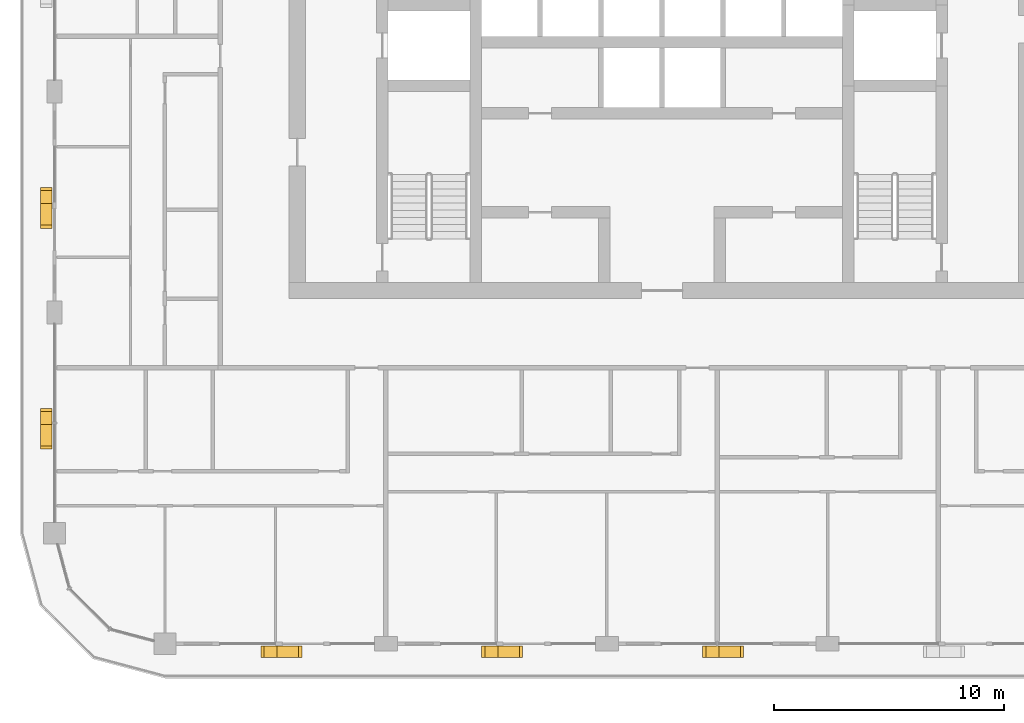
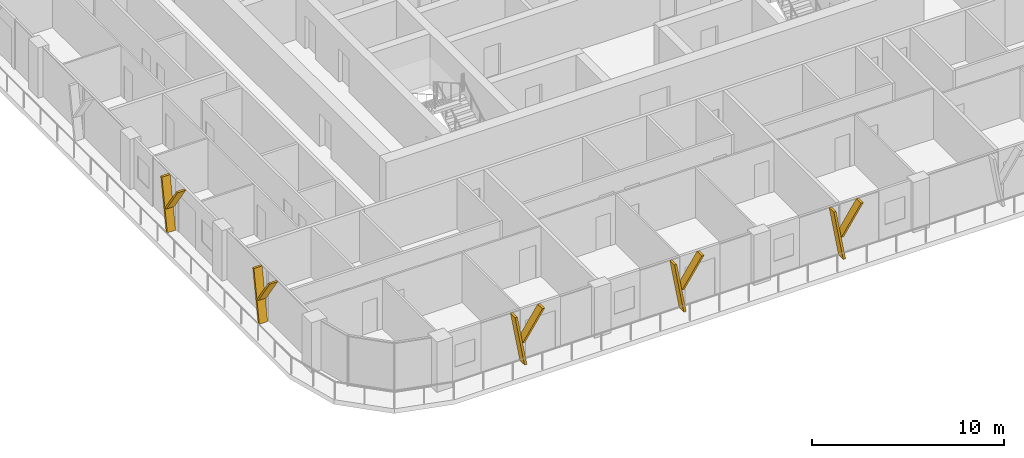
# One storey, part 16 of 21: 10 shading devices.
"""IFC4 building model written with IfcOpenShell, lengths in metres."""

from ifc_helpers import new_model, si_unit, direction, frame, origin, place, context, subcontext, project, spatial, polyline, outline, extrude, material, type_object, element, save


model = new_model("IFC4")

# Units and contexts
model_context = context("Model", 3, precision=1e-05, world=origin(), true_north=direction((0.0, 1.0)))
body_context = subcontext(model_context, "Body", "Model", "MODEL_VIEW")
ifc_project = project(units=[si_unit("LENGTHUNIT", "METRE"), si_unit("AREAUNIT", "SQUARE_METRE"), si_unit("VOLUMEUNIT", "CUBIC_METRE"), si_unit("PLANEANGLEUNIT", "RADIAN"), si_unit("MASSUNIT", "GRAM", prefix="KILO")], contexts=[model_context])

# Site, building, storey
site_placement = place(None, origin())
site = spatial("IfcSite", under=ifc_project, at=site_placement, CompositionType="ELEMENT")
building_placement = place(site_placement, origin())
building = spatial("IfcBuilding", under=site, at=building_placement, Name="Madar Terraces", CompositionType="ELEMENT")
storey_placement = place(building_placement, frame((0.0, 0.0, 185.89990234375)))
storey = spatial("IfcBuildingStorey", under=building, at=storey_placement, Name="L48", CompositionType="ELEMENT", Elevation=185.89990234375)

# Shading devices
ifc_material = material(Name="Aluminium, black anodised", Category="aluminium")
shading_device_type = type_object("IfcShadingDeviceType", Name="Facade fin blade 140 x 500", PredefinedType="USERDEFINED", material=ifc_material)
shading_device_1_placement = place(storey_placement, frame((14.330078125, -0.35009765625, 0.0), z_axis=(0.0, 0.0, 1.0), x_axis=(1.0, 0.0, 0.0)))
element("IfcShadingDevice", 1, at=shading_device_1_placement, inside=storey, type_object=shading_device_type, Name="FIN L48 S1", ObjectType="FIN", PredefinedType="USERDEFINED", context=body_context, shape_type="SweptSolid", body=[
    extrude(outline(polyline([(0.0, 0.0), (0.139892578125, 0.0), (-0.42431640625, 3.2001953125), (-0.564208984375, 3.2001953125), (0.0, 0.0)])), frame((0.0, 0.25, 0.0), z_axis=(0.0, -1.0, 0.0), x_axis=(1.0, 0.0, 0.0)), (0.0, 0.0, 1.0), 0.5),
])
shading_device_2_placement = place(storey_placement, frame((14.216064453125, -0.35009765625, 1.440185546875), z_axis=(0.0, 0.0, 1.0), x_axis=(1.0, 0.0, 0.0)))
element("IfcShadingDevice", 2, at=shading_device_2_placement, inside=storey, type_object=shading_device_type, Name="FIN L48 S1 branch", ObjectType="FIN", PredefinedType="USERDEFINED", context=body_context, shape_type="SweptSolid", body=[
    extrude(outline(polyline([(0.0, 0.0), (0.14013671875, 0.0), (1.32958984375, 1.760009765625), (1.189697265625, 1.760009765625), (0.0, 0.0)])), frame((0.0, 0.25, 0.0), z_axis=(0.0, -1.0, 0.0), x_axis=(1.0, 0.0, 0.0)), (0.0, 0.0, 1.0), 0.5),
])
shading_device_3_placement = place(storey_placement, frame((23.929931640625, -0.35009765625, 0.0), z_axis=(0.0, 0.0, 1.0), x_axis=(1.0, 0.0, 0.0)))
element("IfcShadingDevice", 3, at=shading_device_3_placement, inside=storey, type_object=shading_device_type, Name="FIN L48 S2", ObjectType="FIN", PredefinedType="USERDEFINED", context=body_context, shape_type="SweptSolid", body=[
    extrude(outline(polyline([(0.0, 0.0), (0.14013671875, 0.0), (-0.42431640625, 3.2001953125), (-0.564208984375, 3.2001953125), (0.0, 0.0)])), frame((0.0, 0.25, 0.0), z_axis=(0.0, -1.0, 0.0), x_axis=(1.0, 0.0, 0.0)), (0.0, 0.0, 1.0), 0.5),
])
shading_device_4_placement = place(storey_placement, frame((23.816162109375, -0.35009765625, 1.440185546875), z_axis=(0.0, 0.0, 1.0), x_axis=(1.0, 0.0, 0.0)))
element("IfcShadingDevice", 4, at=shading_device_4_placement, inside=storey, type_object=shading_device_type, Name="FIN L48 S2 branch", ObjectType="FIN", PredefinedType="USERDEFINED", context=body_context, shape_type="SweptSolid", body=[
    extrude(outline(polyline([(0.0, 0.0), (0.139892578125, 0.0), (1.32958984375, 1.760009765625), (1.189697265625, 1.760009765625), (0.0, 0.0)])), frame((0.0, 0.25, 0.0), z_axis=(0.0, -1.0, 0.0), x_axis=(1.0, 0.0, 0.0)), (0.0, 0.0, 1.0), 0.5),
])
shading_device_5_placement = place(storey_placement, frame((33.530029296875, -0.35009765625, 0.0), z_axis=(0.0, 0.0, 1.0), x_axis=(1.0, 0.0, 0.0)))
element("IfcShadingDevice", 5, at=shading_device_5_placement, inside=storey, type_object=shading_device_type, Name="FIN L48 S3", ObjectType="FIN", PredefinedType="USERDEFINED", context=body_context, shape_type="SweptSolid", body=[
    extrude(outline(polyline([(0.0, 0.0), (0.139892578125, 0.0), (-0.42431640625, 3.2001953125), (-0.564208984375, 3.2001953125), (0.0, 0.0)])), frame((0.0, 0.25, 0.0), z_axis=(0.0, -1.0, 0.0), x_axis=(1.0, 0.0, 0.0)), (0.0, 0.0, 1.0), 0.5),
])
shading_device_6_placement = place(storey_placement, frame((33.416015625, -0.35009765625, 1.440185546875), z_axis=(0.0, 0.0, 1.0), x_axis=(1.0, 0.0, 0.0)))
element("IfcShadingDevice", 6, at=shading_device_6_placement, inside=storey, type_object=shading_device_type, Name="FIN L48 S3 branch", ObjectType="FIN", PredefinedType="USERDEFINED", context=body_context, shape_type="SweptSolid", body=[
    extrude(outline(polyline([(0.0, 0.0), (0.14013671875, 0.0), (1.32958984375, 1.760009765625), (1.189697265625, 1.760009765625), (0.0, 0.0)])), frame((0.0, 0.25, 0.0), z_axis=(0.0, -1.0, 0.0), x_axis=(1.0, 0.0, 0.0)), (0.0, 0.0, 1.0), 0.5),
])
shading_device_7_placement = place(storey_placement, frame((4.449951171875, 19.27001953125, 0.0), z_axis=(0.0, 0.0, 1.0), x_axis=(0.0, -1.0, 0.0)))
element("IfcShadingDevice", 7, at=shading_device_7_placement, inside=storey, type_object=shading_device_type, Name="FIN L48 W3", ObjectType="FIN", PredefinedType="USERDEFINED", context=body_context, shape_type="SweptSolid", body=[
    extrude(outline(polyline([(0.0, 0.0), (0.14013671875, 0.0), (-0.42431640625, 3.2001953125), (-0.564208984375, 3.2001953125), (0.0, 0.0)])), frame((0.0, 0.25, 0.0), z_axis=(0.0, -1.0, 0.0), x_axis=(1.0, 0.0, 0.0)), (0.0, 0.0, 1.0), 0.5),
])
shading_device_8_placement = place(storey_placement, frame((4.449951171875, 19.3837890625, 1.440185546875), z_axis=(0.0, 0.0, 1.0), x_axis=(0.0, -1.0, 0.0)))
element("IfcShadingDevice", 8, at=shading_device_8_placement, inside=storey, type_object=shading_device_type, Name="FIN L48 W3 branch", ObjectType="FIN", PredefinedType="USERDEFINED", context=body_context, shape_type="SweptSolid", body=[
    extrude(outline(polyline([(0.0, 0.0), (0.139892578125, 0.0), (1.32958984375, 1.760009765625), (1.189697265625, 1.760009765625), (0.0, 0.0)])), frame((0.0, 0.25, 0.0), z_axis=(0.0, -1.0, 0.0), x_axis=(1.0, 0.0, 0.0)), (0.0, 0.0, 1.0), 0.5),
])
shading_device_9_placement = place(storey_placement, frame((4.449951171875, 9.669921875, 0.0), z_axis=(0.0, 0.0, 1.0), x_axis=(0.0, -1.0, 0.0)))
element("IfcShadingDevice", 9, at=shading_device_9_placement, inside=storey, type_object=shading_device_type, Name="FIN L48 W4", ObjectType="FIN", PredefinedType="USERDEFINED", context=body_context, shape_type="SweptSolid", body=[
    extrude(outline(polyline([(0.0, 0.0), (0.139892578125, 0.0), (-0.42431640625, 3.2001953125), (-0.564208984375, 3.2001953125), (0.0, 0.0)])), frame((0.0, 0.25, 0.0), z_axis=(0.0, -1.0, 0.0), x_axis=(1.0, 0.0, 0.0)), (0.0, 0.0, 1.0), 0.5),
])
shading_device_10_placement = place(storey_placement, frame((4.449951171875, 9.783935546875, 1.440185546875), z_axis=(0.0, 0.0, 1.0), x_axis=(0.0, -1.0, 0.0)))
element("IfcShadingDevice", 10, at=shading_device_10_placement, inside=storey, type_object=shading_device_type, Name="FIN L48 W4 branch", ObjectType="FIN", PredefinedType="USERDEFINED", context=body_context, shape_type="SweptSolid", body=[
    extrude(outline(polyline([(0.0, 0.0), (0.14013671875, 0.0), (1.32958984375, 1.760009765625), (1.189697265625, 1.760009765625), (0.0, 0.0)])), frame((0.0, 0.25, 0.0), z_axis=(0.0, -1.0, 0.0), x_axis=(1.0, 0.0, 0.0)), (0.0, 0.0, 1.0), 0.5),
])

save(model, "model.ifc")
